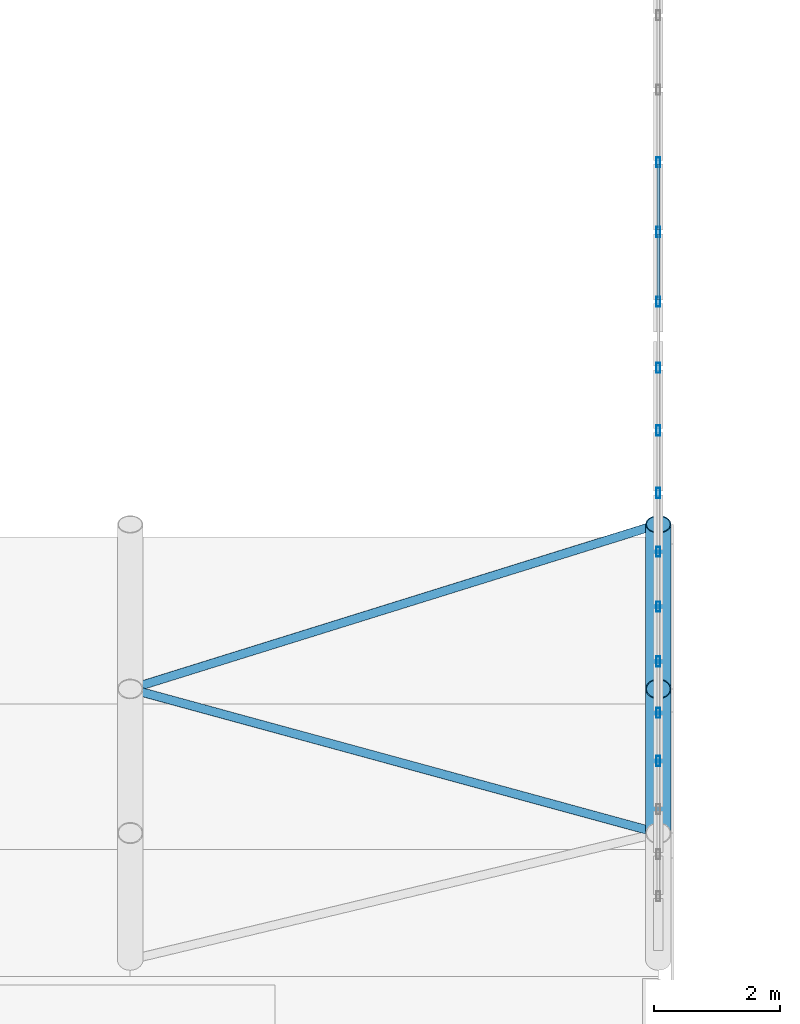
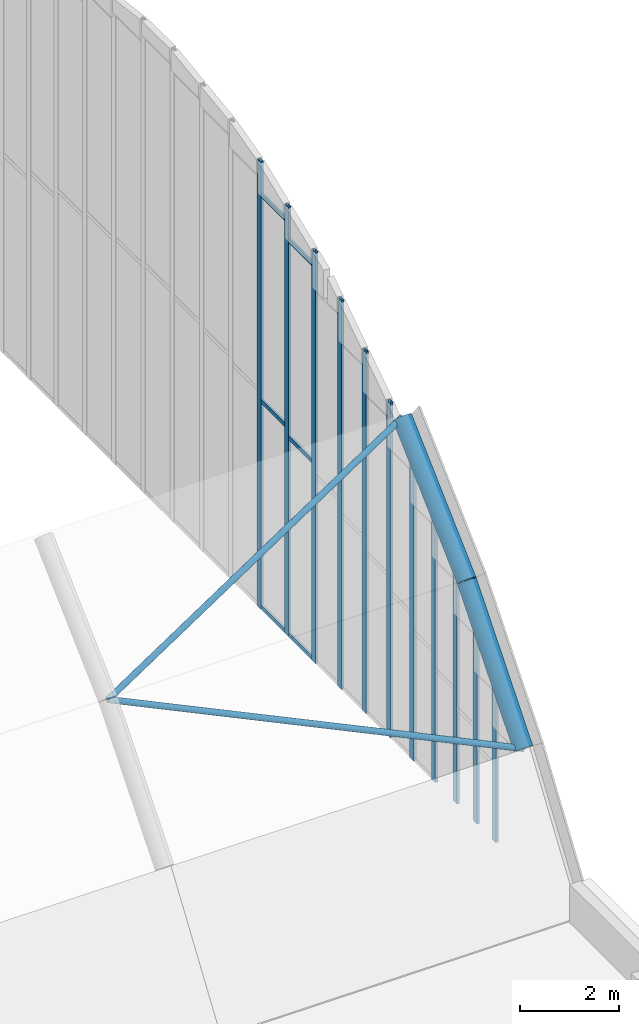
# One storey, part 24 of 77: 21 members, 1 element without a shape of its own.
"""IFC4 building model written with IfcOpenShell, lengths in metres."""

from ifc_helpers import new_model, si_unit, direction, frame, origin, origin_2d, place, context, subcontext, project, spatial, hollow_rectangle, hollow_circle, extrude, material, material_profile, profile_set, type_object, element, aggregate, save


model = new_model("IFC4")

# Units and contexts
model_context = context("Model", 3, precision=1e-05, world=origin(), true_north=direction((0.0, 1.0)))
body_context = subcontext(model_context, "Body", "Model", "MODEL_VIEW")
ifc_project = project(units=[si_unit("LENGTHUNIT", "METRE"), si_unit("AREAUNIT", "SQUARE_METRE"), si_unit("VOLUMEUNIT", "CUBIC_METRE"), si_unit("PLANEANGLEUNIT", "RADIAN"), si_unit("MASSUNIT", "GRAM", prefix="KILO")], contexts=[model_context])

# Site, building, storey
site_placement = place(None, origin())
site = spatial("IfcSite", under=ifc_project, at=site_placement, CompositionType="ELEMENT")
building_placement = place(site_placement, origin())
building = spatial("IfcBuilding", under=site, at=building_placement, Name="Catenary Quay Ferry Terminal", CompositionType="ELEMENT")
storey_placement = place(building_placement, frame((0.0, 0.0, 10.800048828125)))
storey = spatial("IfcBuildingStorey", under=building, at=storey_placement, Name="L02", CompositionType="ELEMENT", Elevation=10.800048828125)

# Members
ifc_material_1 = material(Name="Steel S355", Category="steel")
ifc_material_profile_1 = material_profile(ifc_material_1, hollow_circle(Radius=0.06982421875, WallThickness=0.008056640625, at=origin_2d()), Name="CHS 139.7x8")
ifc_profile_set_1 = profile_set([ifc_material_profile_1], Name="Steel S355")
member_type_1 = type_object("IfcMemberType", Name="BR1 CHS 139.7x8", PredefinedType="BRACE", material=ifc_profile_set_1)
member_1_placement = place(storey_placement, frame((92.39990234375, 111.215087890625, 2.970947265625), z_axis=(-0.919515246298, 0.250898364595, 0.302558626499), x_axis=(-0.263236033001, -0.964731460527, 0.0)))
element("IfcMember", 1, at=member_1_placement, inside=storey, type_object=member_type_1, Name="Roof brace BR-VD-08-02", PredefinedType="BRACE", context=body_context, shape_type="SweptSolid", body=[
    extrude(hollow_circle(Radius=0.06982421875, WallThickness=0.008056640625, at=origin_2d()), origin(), (0.0, 0.0, 1.0), 9.13525390625),
])
member_2_placement = place(storey_placement, frame((84.0, 113.507080078125, 5.73486328125), z_axis=(0.919550687258, 0.286694769, 0.268761312302), x_axis=(-0.297646119509, 0.954676273687, 0.0)))
element("IfcMember", 2, at=member_2_placement, inside=storey, type_object=member_type_1, Name="Roof brace BR-VD-08-03", PredefinedType="BRACE", context=body_context, shape_type="SweptSolid", body=[
    extrude(hollow_circle(Radius=0.06982421875, WallThickness=0.008056640625, at=origin_2d()), origin(), (0.0, 0.0, 1.0), 9.134765625),
])

# Curtain wall, members
ifc_material_2 = material(Name="Aluminium and glass", Category="aluminium")
curtain_wall_type = type_object("IfcCurtainWallType", Name="CWA", PredefinedType="NOTDEFINED", material=ifc_material_2)
curtain_wall_placement = place(storey_placement, origin())
curtain_wall = element("IfcCurtainWall", 3, at=curtain_wall_placement, inside=storey, type_object=curtain_wall_type, Name="Arch departure hall curtain wall CW21", PredefinedType="NOTDEFINED")
ifc_material_3 = material(Name="Aluminium", Category="aluminium")
ifc_material_profile_2 = material_profile(ifc_material_3, hollow_rectangle(XDim=0.06005859375, YDim=0.159912109375, WallThickness=0.006103515625, at=origin_2d()), Name="MU5")
ifc_profile_set_2 = profile_set([ifc_material_profile_2], Name="Aluminium")
member_type_2 = type_object("IfcMemberType", Name="MU5", PredefinedType="MULLION", material=ifc_profile_set_2)
member_3_placement = place(storey_placement, frame((92.39990234375, 112.361083984375, 0.0), z_axis=(0.0, 0.0, 1.0), x_axis=(-1.0, 0.0, 0.0)))
member_3 = element("IfcMember", 4, at=member_3_placement, type_object=member_type_2, Name="CW21 mullion 4", PredefinedType="MULLION", context=body_context, shape_type="SweptSolid", body=[
    extrude(hollow_rectangle(XDim=0.06005859375, YDim=0.159912109375, WallThickness=0.006103515625, at=origin_2d()), origin(), (0.0, 0.0, 1.0), 4.133056640625),
])
member_4_placement = place(storey_placement, frame((92.39990234375, 113.125, 0.0), z_axis=(0.0, 0.0, 1.0), x_axis=(-1.0, 0.0, 0.0)))
member_4 = element("IfcMember", 5, at=member_4_placement, type_object=member_type_2, Name="CW21 mullion 5", PredefinedType="MULLION", context=body_context, shape_type="SweptSolid", body=[
    extrude(hollow_rectangle(XDim=0.06005859375, YDim=0.159912109375, WallThickness=0.006103515625, at=origin_2d()), origin(), (0.0, 0.0, 1.0), 5.05419921875),
])
member_5_placement = place(storey_placement, frame((92.39990234375, 113.943603515625, 0.0), z_axis=(0.0, 0.0, 1.0), x_axis=(-1.0, 0.0, 0.0)))
member_5 = element("IfcMember", 6, at=member_5_placement, type_object=member_type_2, Name="CW21 mullion 6", PredefinedType="MULLION", context=body_context, shape_type="SweptSolid", body=[
    extrude(hollow_rectangle(XDim=0.06005859375, YDim=0.159912109375, WallThickness=0.006103515625, at=origin_2d()), origin(), (0.0, 0.0, 1.0), 5.924072265625),
])
member_6_placement = place(storey_placement, frame((92.39990234375, 114.81640625, 0.0), z_axis=(0.0, 0.0, 1.0), x_axis=(-1.0, 0.0, 0.0)))
member_6 = element("IfcMember", 7, at=member_6_placement, type_object=member_type_2, Name="CW21 mullion 7", PredefinedType="MULLION", context=body_context, shape_type="SweptSolid", body=[
    extrude(hollow_rectangle(XDim=0.06005859375, YDim=0.159912109375, WallThickness=0.006103515625, at=origin_2d()), origin(), (0.0, 0.0, 1.0), 6.742431640625),
])
member_7_placement = place(storey_placement, frame((92.39990234375, 115.689453125, 0.0), z_axis=(0.0, 0.0, 1.0), x_axis=(-1.0, 0.0, 0.0)))
member_7 = element("IfcMember", 8, at=member_7_placement, type_object=member_type_2, Name="CW21 mullion 8", PredefinedType="MULLION", context=body_context, shape_type="SweptSolid", body=[
    extrude(hollow_rectangle(XDim=0.06005859375, YDim=0.159912109375, WallThickness=0.006103515625, at=origin_2d()), origin(), (0.0, 0.0, 1.0), 7.560791015625),
])
member_8_placement = place(storey_placement, frame((92.39990234375, 116.623291015625, 0.0), z_axis=(0.0, 0.0, 1.0), x_axis=(-1.0, 0.0, 0.0)))
member_8 = element("IfcMember", 9, at=member_8_placement, type_object=member_type_2, Name="CW21 mullion 9", PredefinedType="MULLION", context=body_context, shape_type="SweptSolid", body=[
    extrude(hollow_rectangle(XDim=0.06005859375, YDim=0.159912109375, WallThickness=0.006103515625, at=origin_2d()), origin(), (0.0, 0.0, 1.0), 8.302734375),
])
member_9_placement = place(storey_placement, frame((92.39990234375, 117.617919921875, 0.0), z_axis=(0.0, 0.0, 1.0), x_axis=(-1.0, 0.0, 0.0)))
member_9 = element("IfcMember", 10, at=member_9_placement, type_object=member_type_2, Name="CW21 mullion 10", PredefinedType="MULLION", context=body_context, shape_type="SweptSolid", body=[
    extrude(hollow_rectangle(XDim=0.06005859375, YDim=0.159912109375, WallThickness=0.006103515625, at=origin_2d()), origin(), (0.0, 0.0, 1.0), 8.968505859375),
])
member_10_placement = place(storey_placement, frame((92.39990234375, 118.612548828125, 0.0), z_axis=(0.0, 0.0, 1.0), x_axis=(-1.0, 0.0, 0.0)))
member_10 = element("IfcMember", 11, at=member_10_placement, type_object=member_type_2, Name="CW21 mullion 11", PredefinedType="MULLION", context=body_context, shape_type="SweptSolid", body=[
    extrude(hollow_rectangle(XDim=0.06005859375, YDim=0.159912109375, WallThickness=0.006103515625, at=origin_2d()), origin(), (0.0, 0.0, 1.0), 9.634033203125),
])
member_11_placement = place(storey_placement, frame((92.39990234375, 119.665283203125, 0.0), z_axis=(0.0, 0.0, 1.0), x_axis=(-1.0, 0.0, 0.0)))
member_11 = element("IfcMember", 12, at=member_11_placement, type_object=member_type_2, Name="CW21 mullion 12", PredefinedType="MULLION", context=body_context, shape_type="SweptSolid", body=[
    extrude(hollow_rectangle(XDim=0.06005859375, YDim=0.159912109375, WallThickness=0.006103515625, at=origin_2d()), origin(), (0.0, 0.0, 1.0), 10.189697265625),
])
member_12_placement = place(storey_placement, frame((92.39990234375, 120.775390625, 0.0), z_axis=(0.0, 0.0, 1.0), x_axis=(-1.0, 0.0, 0.0)))
member_12 = element("IfcMember", 13, at=member_12_placement, type_object=member_type_2, Name="CW21 mullion 13", PredefinedType="MULLION", context=body_context, shape_type="SweptSolid", body=[
    extrude(hollow_rectangle(XDim=0.06005859375, YDim=0.159912109375, WallThickness=0.006103515625, at=origin_2d()), origin(), (0.0, 0.0, 1.0), 10.635498046875),
])
member_13_placement = place(storey_placement, frame((92.39990234375, 121.8857421875, 0.0), z_axis=(0.0, 0.0, 1.0), x_axis=(-1.0, 0.0, 0.0)))
member_13 = element("IfcMember", 14, at=member_13_placement, type_object=member_type_2, Name="CW21 mullion 14", PredefinedType="MULLION", context=body_context, shape_type="SweptSolid", body=[
    extrude(hollow_rectangle(XDim=0.06005859375, YDim=0.159912109375, WallThickness=0.006103515625, at=origin_2d()), origin(), (0.0, 0.0, 1.0), 11.0810546875),
])
ifc_material_4 = material(Name="Aluminium", Category="aluminium")
ifc_material_profile_3 = material_profile(ifc_material_4, hollow_rectangle(XDim=0.050048828125, YDim=0.10009765625, WallThickness=0.00390625, at=origin_2d()), Name="TR4")
ifc_profile_set_3 = profile_set([ifc_material_profile_3], Name="Aluminium")
member_type_3 = type_object("IfcMemberType", Name="TR4", PredefinedType="USERDEFINED", material=ifc_profile_set_3)
member_14_placement = place(storey_placement, frame((92.39990234375, 119.695068359375, 0.050048828125), z_axis=(0.0, 1.0, 0.0), x_axis=(-1.0, 0.0, 0.0)))
member_14 = element("IfcMember", 15, at=member_14_placement, type_object=member_type_3, Name="CW21 transom 12.1", ObjectType="TRANSOM", PredefinedType="USERDEFINED", context=body_context, shape_type="SweptSolid", body=[
    extrude(hollow_rectangle(XDim=0.050048828125, YDim=0.10009765625, WallThickness=0.00390625, at=origin_2d()), origin(), (0.0, 0.0, 1.0), 1.050537109375),
])
member_15_placement = place(storey_placement, frame((92.39990234375, 119.695068359375, 4.9248046875), z_axis=(0.0, 1.0, 0.0), x_axis=(-1.0, 0.0, 0.0)))
member_15 = element("IfcMember", 16, at=member_15_placement, type_object=member_type_3, Name="CW21 transom 12.2", ObjectType="TRANSOM", PredefinedType="USERDEFINED", context=body_context, shape_type="SweptSolid", body=[
    extrude(hollow_rectangle(XDim=0.050048828125, YDim=0.10009765625, WallThickness=0.00390625, at=origin_2d()), origin(), (0.0, 0.0, 1.0), 1.050537109375),
])
member_16_placement = place(storey_placement, frame((92.39990234375, 119.695068359375, 9.7998046875), z_axis=(0.0, 1.0, 0.0), x_axis=(-1.0, 0.0, 0.0)))
member_16 = element("IfcMember", 17, at=member_16_placement, type_object=member_type_3, Name="CW21 transom 12.3", ObjectType="TRANSOM", PredefinedType="USERDEFINED", context=body_context, shape_type="SweptSolid", body=[
    extrude(hollow_rectangle(XDim=0.050048828125, YDim=0.10009765625, WallThickness=0.00390625, at=origin_2d()), origin(), (0.0, 0.0, 1.0), 1.050537109375),
])
member_17_placement = place(storey_placement, frame((92.39990234375, 120.805419921875, 0.050048828125), z_axis=(0.0, 1.0, 0.0), x_axis=(-1.0, 0.0, 0.0)))
member_17 = element("IfcMember", 18, at=member_17_placement, type_object=member_type_3, Name="CW21 transom 13.1", ObjectType="TRANSOM", PredefinedType="USERDEFINED", context=body_context, shape_type="SweptSolid", body=[
    extrude(hollow_rectangle(XDim=0.050048828125, YDim=0.10009765625, WallThickness=0.00390625, at=origin_2d()), origin(), (0.0, 0.0, 1.0), 1.05029296875),
])
member_18_placement = place(storey_placement, frame((92.39990234375, 120.805419921875, 5.147705078125), z_axis=(0.0, 1.0, 0.0), x_axis=(-1.0, 0.0, 0.0)))
member_18 = element("IfcMember", 19, at=member_18_placement, type_object=member_type_3, Name="CW21 transom 13.2", ObjectType="TRANSOM", PredefinedType="USERDEFINED", context=body_context, shape_type="SweptSolid", body=[
    extrude(hollow_rectangle(XDim=0.050048828125, YDim=0.10009765625, WallThickness=0.00390625, at=origin_2d()), origin(), (0.0, 0.0, 1.0), 1.05029296875),
])
member_19_placement = place(storey_placement, frame((92.39990234375, 120.805419921875, 10.245361328125), z_axis=(0.0, 1.0, 0.0), x_axis=(-1.0, 0.0, 0.0)))
member_19 = element("IfcMember", 20, at=member_19_placement, type_object=member_type_3, Name="CW21 transom 13.3", ObjectType="TRANSOM", PredefinedType="USERDEFINED", context=body_context, shape_type="SweptSolid", body=[
    extrude(hollow_rectangle(XDim=0.050048828125, YDim=0.10009765625, WallThickness=0.00390625, at=origin_2d()), origin(), (0.0, 0.0, 1.0), 1.05029296875),
])
aggregate(curtain_wall, [member_3, member_4, member_5, member_6, member_7, member_8, member_9, member_10, member_11, member_12, member_13, member_14, member_15, member_16, member_17, member_18, member_19])

# Members
ifc_material_5 = material(Name="Steel S355", Category="steel")
ifc_material_profile_4 = material_profile(ifc_material_5, hollow_circle(Radius=0.203125, WallThickness=0.01611328125, at=origin_2d()), Name="CHS 406.4x16")
ifc_profile_set_4 = profile_set([ifc_material_profile_4], Name="Steel S355")
member_type_4 = type_object("IfcMemberType", Name="VR3 CHS 406.4x16", PredefinedType="RAFTER", material=ifc_profile_set_4)
member_20_placement = place(storey_placement, frame((92.39990234375, 111.215087890625, 2.970947265625), z_axis=(0.0, 0.638329973705, 0.769762849629), x_axis=(-1.0, 0.0, 0.0)))
element("IfcMember", 21, at=member_20_placement, inside=storey, type_object=member_type_4, Name="Vault rib VD-09-02", PredefinedType="RAFTER", context=body_context, shape_type="SweptSolid", body=[
    extrude(hollow_circle(Radius=0.203125, WallThickness=0.01611328125, at=origin_2d()), origin(), (0.0, 0.0, 1.0), 3.590576171875),
])
member_21_placement = place(storey_placement, frame((92.39990234375, 113.507080078125, 5.73486328125), z_axis=(0.0, 0.729556292242, 0.683920767669), x_axis=(-1.0, 0.0, 0.0)))
element("IfcMember", 22, at=member_21_placement, inside=storey, type_object=member_type_4, Name="Vault rib VD-09-03", PredefinedType="RAFTER", context=body_context, shape_type="SweptSolid", body=[
    extrude(hollow_circle(Radius=0.203125, WallThickness=0.01611328125, at=origin_2d()), origin(), (0.0, 0.0, 1.0), 3.589599609375),
])

save(model, "model.ifc")
